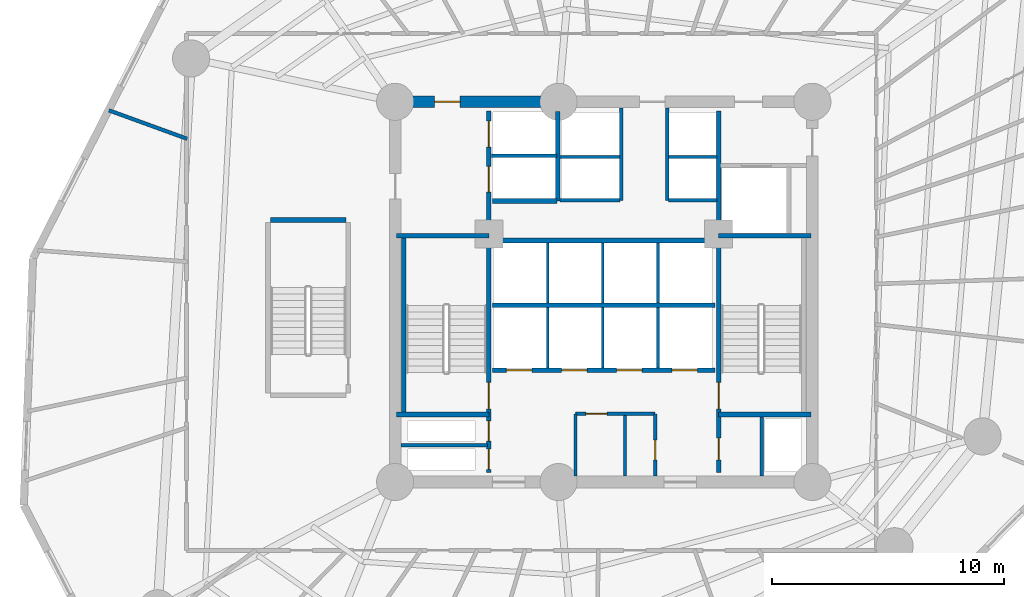
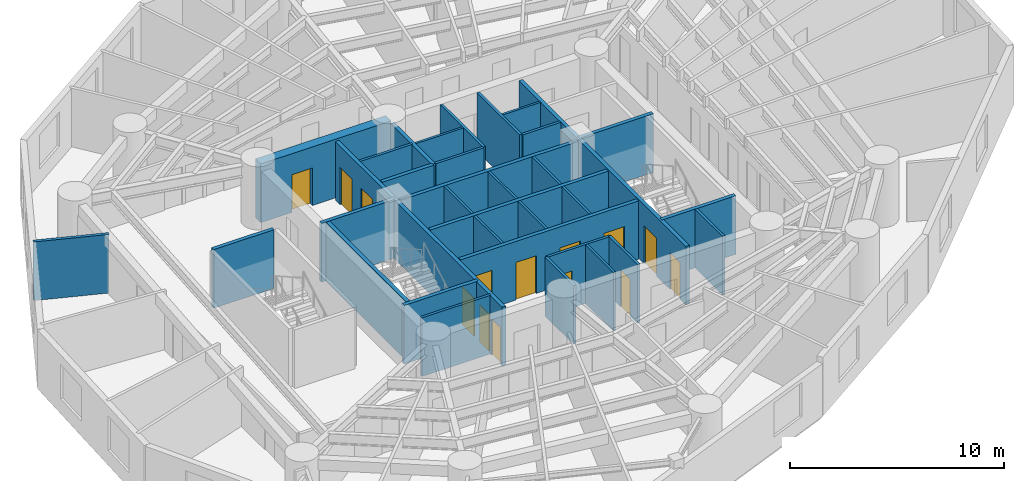
# One storey, part 4 of 8: 34 walls, 14 doors, 14 openings.
"""IFC4 building model written with IfcOpenShell, lengths in metres."""

from ifc_helpers import new_model, si_unit, direction, frame, frame_2d, origin, origin_with_axes, place, context, subcontext, project, spatial, rectangle, extrude, source, transform, mapped, material, layer, layer_set, type_object, element, fill, save


model = new_model("IFC4")

# Units and contexts
model_context = context("Model", 3, precision=1e-05, world=origin(), true_north=direction((0.0, 1.0)))
body_context = subcontext(model_context, "Body", "Model", "MODEL_VIEW")
ifc_project = project(units=[si_unit("LENGTHUNIT", "METRE"), si_unit("AREAUNIT", "SQUARE_METRE"), si_unit("VOLUMEUNIT", "CUBIC_METRE"), si_unit("PLANEANGLEUNIT", "RADIAN"), si_unit("MASSUNIT", "GRAM", prefix="KILO")], contexts=[model_context])

# Site, building, storey
site_placement = place(None, origin())
site = spatial("IfcSite", under=ifc_project, at=site_placement, CompositionType="ELEMENT")
building_placement = place(site_placement, origin())
building = spatial("IfcBuilding", under=site, at=building_placement, Name="Karkom Vertical University and Central Library", CompositionType="ELEMENT")
storey_placement = place(building_placement, frame((0.0, 0.0, 40.89990234375)))
storey = spatial("IfcBuildingStorey", under=building, at=storey_placement, Name="L10", CompositionType="ELEMENT", Elevation=40.89990234375)

# Walls
ifc_material_1 = material(Name="Insulated metal-stud drywall 160mm", Category="gypsum")
ifc_layer_1 = layer(ifc_material_1, 0.159912109375)
ifc_layer_set_1 = layer_set([ifc_layer_1], Name="Insulated metal-stud drywall 160mm")
wall_type_1 = type_object("IfcWallType", Name="INT-WL-COR-160", PredefinedType="PARTITIONING", material=ifc_layer_set_1)
wall_1_placement = place(storey_placement, frame((10.5283203125, 33.10498046875, 0.0), z_axis=(0.0, 0.0, 1.0), x_axis=(-0.939697983434, 0.342005409213, 0.0)))
element("IfcWall", 1, at=wall_1_placement, inside=storey, type_object=wall_type_1, Name="Level 10 Interior Partition Wall L10-PW-038", PredefinedType="PARTITIONING", context=body_context, shape_type="SweptSolid", body=[
    extrude(rectangle(XDim=3.58642578125, YDim=0.159912109375, at=frame_2d((1.793212890625, 0.0))), origin(), (0.0, 0.0, 1.0), 3.35009765625),
])
ifc_material_2 = material(Name="Moisture-resistant drywall 120mm", Category="gypsum")
ifc_layer_2 = layer(ifc_material_2, 0.1201171875)
ifc_layer_set_2 = layer_set([ifc_layer_2], Name="Moisture-resistant drywall 120mm")
wall_type_2 = type_object("IfcWallType", Name="INT-WL-INT-120", PredefinedType="PARTITIONING", material=ifc_layer_set_2)
wall_2_placement = place(storey_placement, frame((29.419921875, 18.556884765625, 0.0), z_axis=(0.0, 0.0, 1.0), x_axis=(0.0, 1.0, 0.0)))
element("IfcWall", 2, at=wall_2_placement, inside=storey, type_object=wall_type_2, Name="Level 10 Interior Partition Wall L10-CW-K3-DIV", PredefinedType="PARTITIONING", context=body_context, shape_type="SweptSolid", body=[
    extrude(rectangle(XDim=2.611083984375, YDim=0.1201171875, at=frame_2d((1.3056640625, 0.0))), origin(), (0.0, 0.0, 1.0), 3.35009765625),
])
ifc_layer_3 = layer(ifc_material_2, 0.1201171875)
ifc_layer_set_3 = layer_set([ifc_layer_3], Name="Moisture-resistant drywall 120mm")
wall_type_3 = type_object("IfcWallType", Name="INT-WL-INT-120H", PredefinedType="PARTITIONING", material=ifc_layer_set_3)
for number, where, z_axis, x_axis, name in (
    (3, (26.080078125, 23.219970703125, 0.0), (0.0, 0.0, 1.0), (0.0, 1.0, 0.0), "Level 10 Interior Partition Wall L10-CW-PL-DIV1"),
    (4, (28.4599609375, 23.219970703125, 0.0), (0.0, 0.0, 1.0), (0.0, 1.0, 0.0), "Level 10 Interior Partition Wall L10-CW-PL-DIV2"),
    (5, (30.840087890625, 23.219970703125, 0.0), (0.0, 0.0, 1.0), (0.0, 1.0, 0.0), "Level 10 Interior Partition Wall L10-CW-PL-DIV3"),
    (6, (26.080078125, 26.02001953125, 0.0), (0.0, 0.0, 1.0), (0.0, 1.0, 0.0), "Level 10 Interior Partition Wall L10-CW-PM-DIV1"),
    (7, (28.4599609375, 26.02001953125, 0.0), (0.0, 0.0, 1.0), (0.0, 1.0, 0.0), "Level 10 Interior Partition Wall L10-CW-PM-DIV2"),
    (8, (30.840087890625, 26.02001953125, 0.0), (0.0, 0.0, 1.0), (0.0, 1.0, 0.0), "Level 10 Interior Partition Wall L10-CW-PM-DIV3"),
):
    element("IfcWall", number, at=place(storey_placement, frame(where, z_axis=z_axis, x_axis=x_axis)), inside=storey, type_object=wall_type_3, Name=name, PredefinedType="PARTITIONING", context=body_context, shape_type="SweptSolid", body=[
        extrude(rectangle(XDim=2.60009765625, YDim=0.1201171875, at=frame_2d((1.300048828125, 0.0))), origin(), (0.0, 0.0, 1.0), 3.35009765625),
    ])
wall_3_placement = place(storey_placement, frame((26.6201171875, 32.320068359375, 0.0), z_axis=(0.0, 0.0, 1.0), x_axis=(1.0, 0.0, 0.0)))
element("IfcWall", 9, at=wall_3_placement, inside=storey, type_object=wall_type_3, Name="Level 10 Interior Partition Wall L10-CW-PH-MW", PredefinedType="PARTITIONING", context=body_context, shape_type="SweptSolid", body=[
    extrude(rectangle(XDim=2.579833984375, YDim=0.1201171875, at=frame_2d((1.2900390625, 0.0))), origin(), (0.0, 0.0, 1.0), 3.35009765625),
])
wall_4_placement = place(storey_placement, frame((31.300048828125, 32.320068359375, 0.0), z_axis=(0.0, 0.0, 1.0), x_axis=(1.0, 0.0, 0.0)))
element("IfcWall", 10, at=wall_4_placement, inside=storey, type_object=wall_type_3, Name="Level 10 Interior Partition Wall L10-CW-PH-ME", PredefinedType="PARTITIONING", context=body_context, shape_type="SweptSolid", body=[
    extrude(rectangle(XDim=2.074951171875, YDim=0.1201171875, at=frame_2d((1.03759765625, 0.0))), origin(), (0.0, 0.0, 1.0), 3.35009765625),
])

# Wall, opening, door
ifc_material_3 = material(Name="Metal-stud gypsum partition 140mm", Category="gypsum")
ifc_layer_4 = layer(ifc_material_3, 0.139892578125)
ifc_layer_set_4 = layer_set([ifc_layer_4], Name="Metal-stud gypsum partition 140mm")
wall_type_4 = type_object("IfcWallType", Name="INT-WL-SUB-140", PredefinedType="PARTITIONING", material=ifc_layer_set_4)
wall_5_placement = place(storey_placement, frame((27.280029296875, 21.239990234375, 0.0), z_axis=(0.0, 0.0, 1.0), x_axis=(1.0, 0.0, 0.0)))
wall_5 = element("IfcWall", 11, at=wall_5_placement, inside=storey, type_object=wall_type_4, Name="Level 10 Interior Partition Wall L10-CW-KBAY-N", PredefinedType="PARTITIONING", context=body_context, shape_type="SweptSolid", body=[
    extrude(rectangle(XDim=3.43994140625, YDim=0.139892578125, at=frame_2d((1.719970703125, 0.0))), origin(), (0.0, 0.0, 1.0), 3.35009765625),
])
opening_1_placement = place(wall_5_placement, frame((0.449951171875, 0.0, 0.0)))
opening_1 = element("IfcOpeningElement", 12, at=opening_1_placement, cuts=wall_5, Name="Opening D-SVC1", PredefinedType="OPENING", context=body_context, shape_type="SweptSolid", body=[
    extrude(rectangle(XDim=0.919921875, YDim=2.10009765625, at=frame_2d((0.4599609375, 1.050048828125))), frame((0.0, 0.080078125, 0.0), z_axis=(0.0, -1.0, 0.0), x_axis=(1.0, 0.0, 0.0)), (0.0, 0.0, 1.0), 0.159912109375),
])
ifc_material_4 = material(Name="Painted timber service door", Category="wood")
door_type_1 = type_object("IfcDoorType", Name="INT-DR-SVC1", OperationType="NOTDEFINED", PredefinedType="DOOR", material=ifc_material_4)
shared_shape_1 = source(origin_with_axes(), body_context, "Body", "SweptSolid", [
    extrude(rectangle(XDim=0.919921875, YDim=2.10009765625, at=frame_2d((0.4599609375, 1.050048828125))), frame((0.0, 0.02490234375, 0.0), z_axis=(0.0, -1.0, 0.0), x_axis=(1.0, 0.0, 0.0)), (0.0, 0.0, 1.0), 0.050048828125),
])
door_1_placement = place(opening_1_placement, origin())
door_1 = element("IfcDoor", 13, at=door_1_placement, inside=storey, type_object=door_type_1, Name="Level 10 Copy Room Door", OperationType="SINGLE_SWING_LEFT", OverallHeight=2.10009765625, OverallWidth=0.919921875, PredefinedType="DOOR", context=body_context, shape_type="MappedRepresentation", body=[
    mapped(shared_shape_1, transform((0.0, 0.0, 0.0), scale=1.0)),
])
fill(opening_1, door_1)

# Wall
wall_6_placement = place(storey_placement, frame((27.280029296875, 18.550048828125, 0.0), z_axis=(0.0, 0.0, 1.0), x_axis=(0.0, 1.0, 0.0)))
element("IfcWall", 14, at=wall_6_placement, inside=storey, type_object=wall_type_4, Name="Level 10 Interior Partition Wall L10-CW-KBAY-W", PredefinedType="PARTITIONING", context=body_context, shape_type="SweptSolid", body=[
    extrude(rectangle(XDim=2.68994140625, YDim=0.139892578125, at=frame_2d((1.344970703125, 0.0))), origin(), (0.0, 0.0, 1.0), 3.35009765625),
])

# Wall, opening, door
wall_7_placement = place(storey_placement, frame((30.719970703125, 18.550048828125, 0.0), z_axis=(0.0, 0.0, 1.0), x_axis=(0.0, 1.0, 0.0)))
wall_7 = element("IfcWall", 15, at=wall_7_placement, inside=storey, type_object=wall_type_4, Name="Level 10 Interior Partition Wall L10-CW-KBAY-E", PredefinedType="PARTITIONING", context=body_context, shape_type="SweptSolid", body=[
    extrude(rectangle(XDim=2.68994140625, YDim=0.139892578125, at=frame_2d((1.344970703125, 0.0))), origin(), (0.0, 0.0, 1.0), 3.35009765625),
])
opening_2_placement = place(wall_7_placement, frame((0.699951171875, 0.0, 0.0)))
opening_2 = element("IfcOpeningElement", 16, at=opening_2_placement, cuts=wall_7, Name="Opening D-BATH", PredefinedType="OPENING", context=body_context, shape_type="SweptSolid", body=[
    extrude(rectangle(XDim=0.860107421875, YDim=2.10009765625, at=frame_2d((0.43017578125, 1.050048828125))), frame((0.0, 0.080078125, 0.0), z_axis=(0.0, -1.0, 0.0), x_axis=(1.0, 0.0, 0.0)), (0.0, 0.0, 1.0), 0.159912109375),
])
ifc_material_5 = material(Name="Moisture-resistant oak door", Category="wood")
door_type_2 = type_object("IfcDoorType", Name="INT-DR-BATH", OperationType="NOTDEFINED", PredefinedType="DOOR", material=ifc_material_5)
shared_shape_2 = source(origin_with_axes(), body_context, "Body", "SweptSolid", [
    extrude(rectangle(XDim=0.860107421875, YDim=2.10009765625, at=frame_2d((0.43017578125, 1.050048828125))), frame((0.0, 0.02490234375, 0.0), z_axis=(0.0, -1.0, 0.0), x_axis=(1.0, 0.0, 0.0)), (0.0, 0.0, 1.0), 0.050048828125),
])
door_2_placement = place(opening_2_placement, origin())
door_2 = element("IfcDoor", 17, at=door_2_placement, inside=storey, type_object=door_type_2, Name="Level 10 Janitor Door", OperationType="SINGLE_SWING_RIGHT", OverallHeight=2.10009765625, OverallWidth=0.860107421875, PredefinedType="DOOR", context=body_context, shape_type="MappedRepresentation", body=[
    mapped(shared_shape_2, transform((0.0, 0.0, 0.0), scale=1.0)),
])
fill(opening_2, door_2)

# Walls
ifc_layer_5 = layer(ifc_material_3, 0.139892578125)
ifc_layer_set_5 = layer_set([ifc_layer_5], Name="Metal-stud gypsum partition 140mm")
wall_type_5 = type_object("IfcWallType", Name="INT-WL-SUB-140H", PredefinedType="PARTITIONING", material=ifc_layer_set_5)
for number, where, z_axis, x_axis, name in (
    (18, (29.260009765625, 30.449951171875, 0.0), (0.0, 0.0, 1.0), (0.0, 1.0, 0.0), "Level 10 Interior Partition Wall L10-CW-PH-W"),
    (19, (31.239990234375, 30.449951171875, 0.0), (0.0, 0.0, 1.0), (0.0, 1.0, 0.0), "Level 10 Interior Partition Wall L10-CW-PH-E"),
):
    element("IfcWall", number, at=place(storey_placement, frame(where, z_axis=z_axis, x_axis=x_axis)), inside=storey, type_object=wall_type_5, Name=name, PredefinedType="PARTITIONING", context=body_context, shape_type="SweptSolid", body=[
        extrude(rectangle(XDim=3.9931640625, YDim=0.139892578125, at=frame_2d((1.99658203125, 0.0))), origin(), (0.0, 0.0, 1.0), 3.35009765625),
    ])
wall_8_placement = place(storey_placement, frame((19.757080078125, 19.889892578125, 0.0), z_axis=(0.0, 0.0, 1.0), x_axis=(1.0, 0.0, 0.0)))
element("IfcWall", 20, at=wall_8_placement, inside=storey, type_object=wall_type_5, Name="Level 10 Interior Partition Wall L10-CW-RIS-W", PredefinedType="PARTITIONING", context=body_context, shape_type="SweptSolid", body=[
    extrude(rectangle(XDim=3.7392578125, YDim=0.139892578125, at=frame_2d((1.86962890625, 0.0))), origin(), (0.0, 0.0, 1.0), 3.35009765625),
])
wall_9_placement = place(storey_placement, frame((26.6201171875, 30.449951171875, 0.0), z_axis=(0.0, 0.0, 1.0), x_axis=(1.0, 0.0, 0.0)))
element("IfcWall", 21, at=wall_9_placement, inside=storey, type_object=wall_type_5, Name="Level 10 Interior Partition Wall L10-CW-PH-S1", PredefinedType="PARTITIONING", context=body_context, shape_type="SweptSolid", body=[
    extrude(rectangle(XDim=2.579833984375, YDim=0.139892578125, at=frame_2d((1.2900390625, 0.0))), origin(), (0.0, 0.0, 1.0), 3.35009765625),
])
wall_10_placement = place(storey_placement, frame((35.320068359375, 18.556884765625, 0.0), z_axis=(0.0, 0.0, 1.0), x_axis=(0.0, 1.0, 0.0)))
element("IfcWall", 22, at=wall_10_placement, inside=storey, type_object=wall_type_5, Name="Level 10 Interior Partition Wall L10-CW-RIS-E", PredefinedType="PARTITIONING", context=body_context, shape_type="SweptSolid", body=[
    extrude(rectangle(XDim=2.553466796875, YDim=0.139892578125, at=frame_2d((1.27685546875, 0.0))), origin(), (0.0, 0.0, 1.0), 3.35009765625),
])
wall_11_placement = place(storey_placement, frame((31.300048828125, 30.449951171875, 0.0), z_axis=(0.0, 0.0, 1.0), x_axis=(1.0, 0.0, 0.0)))
element("IfcWall", 23, at=wall_11_placement, inside=storey, type_object=wall_type_5, Name="Level 10 Interior Partition Wall L10-CW-PH-S2", PredefinedType="PARTITIONING", context=body_context, shape_type="SweptSolid", body=[
    extrude(rectangle(XDim=2.074951171875, YDim=0.139892578125, at=frame_2d((1.03759765625, 0.0))), origin(), (0.0, 0.0, 1.0), 3.35009765625),
])
ifc_layer_6 = layer(ifc_material_3, 0.139892578125)
ifc_layer_set_6 = layer_set([ifc_layer_6], Name="Metal-stud gypsum partition 140mm")
wall_type_6 = type_object("IfcWallType", Name="INT-WL-SUB-140X", PredefinedType="PARTITIONING", material=ifc_layer_set_6)
wall_12_placement = place(storey_placement, frame((23.652099609375, 32.3701171875, 0.0), z_axis=(0.0, 0.0, 1.0), x_axis=(1.0, 0.0, 0.0)))
element("IfcWall", 24, at=wall_12_placement, inside=storey, type_object=wall_type_6, Name="Level 10 Interior Partition Wall L10-CW-FFL-M", PredefinedType="PARTITIONING", context=body_context, shape_type="SweptSolid", body=[
    extrude(rectangle(XDim=2.827880859375, YDim=0.139892578125, at=frame_2d((1.4140625, 0.0))), origin(), (0.0, 0.0, 1.0), 3.35009765625),
])

# Wall, opening, door
ifc_material_6 = material(Name="Concrete C50/60", Category="concrete")
ifc_layer_7 = layer(ifc_material_6, 0.5)
ifc_layer_set_7 = layer_set([ifc_layer_7], Name="Concrete C50/60")
wall_type_7 = type_object("IfcWallType", Name="STR-WL-CW-500", PredefinedType="SHEAR", material=ifc_layer_set_7)
wall_13_placement = place(storey_placement, frame((26.550048828125, 34.699951171875, 0.0), z_axis=(0.0, 0.0, 1.0), x_axis=(-1.0, 0.0, 0.0)))
wall_13 = element("IfcWall", 25, at=wall_13_placement, inside=storey, type_object=wall_type_7, Name="Level 10 Central Core Shear Wall NW2", PredefinedType="SHEAR", context=body_context, shape_type="SweptSolid", body=[
    extrude(rectangle(XDim=7.050048828125, YDim=0.5, at=frame_2d((3.52490234375, 0.0))), origin(), (0.0, 0.0, 1.0), 3.35009765625),
])
opening_3_placement = place(wall_13_placement, frame((4.25, 0.0, 0.0)))
opening_3 = element("IfcOpeningElement", 26, at=opening_3_placement, cuts=wall_13, Name="Opening FD-FFL", PredefinedType="OPENING", context=body_context, shape_type="SweptSolid", body=[
    extrude(rectangle(XDim=1.10009765625, YDim=2.14990234375, at=frame_2d((0.550048828125, 1.074951171875))), frame((0.0, 0.260009765625, 0.0), z_axis=(0.0, -1.0, 0.0), x_axis=(1.0, 0.0, 0.0)), (0.0, 0.0, 1.0), 0.52001953125),
])
ifc_material_7 = material(Name="Painted steel smoke-seal fire door", Category="steel")
door_type_3 = type_object("IfcDoorType", Name="INT-DR-FFL", OperationType="NOTDEFINED", PredefinedType="DOOR", material=ifc_material_7)
shared_shape_3 = source(origin_with_axes(), body_context, "Body", "SweptSolid", [
    extrude(rectangle(XDim=1.10009765625, YDim=2.14990234375, at=frame_2d((0.550048828125, 1.074951171875))), frame((0.0, 0.02490234375, 0.0), z_axis=(0.0, -1.0, 0.0), x_axis=(1.0, 0.0, 0.0)), (0.0, 0.0, 1.0), 0.050048828125),
])
door_3_placement = place(opening_3_placement, origin())
door_3 = element("IfcDoor", 27, at=door_3_placement, inside=storey, type_object=door_type_3, Name="Level 10 Firefighting Lobby Door", OperationType="SINGLE_SWING_RIGHT", OverallHeight=2.14990234375, OverallWidth=1.10009765625, PredefinedType="DOOR", context=body_context, shape_type="MappedRepresentation", body=[
    mapped(shared_shape_3, transform((0.0, 0.0, 0.0), scale=1.0)),
])
fill(opening_3, door_3)

# Wall, openings, doors
ifc_material_8 = material(Name="Concrete C45/55", Category="concrete")
ifc_layer_8 = layer(ifc_material_8, 0.199951171875)
ifc_layer_set_8 = layer_set([ifc_layer_8], Name="Concrete C45/55")
wall_type_8 = type_object("IfcWallType", Name="STR-WL-ST-200", PredefinedType="SHEAR", material=ifc_layer_set_8)
wall_14_placement = place(storey_placement, frame((23.544921875, 18.699951171875, 0.0), z_axis=(0.0, 0.0, 1.0), x_axis=(0.0, 1.0, 0.0)))
wall_14 = element("IfcWall", 28, at=wall_14_placement, inside=storey, type_object=wall_type_8, Name="Level 10 Core Shaft Wall L10-CW-ST1-E", PredefinedType="SHEAR", context=body_context, shape_type="SweptSolid", body=[
    extrude(rectangle(XDim=15.60009765625, YDim=0.199951171875, at=frame_2d((7.800048828125, 0.0))), origin(), (0.0, 0.0, 1.0), 3.35009765625),
])
opening_4_placement = place(wall_14_placement, frame((2.75, 0.0, 0.0)))
opening_4 = element("IfcOpeningElement", 29, at=opening_4_placement, cuts=wall_14, Name="Opening FD-ST1", PredefinedType="OPENING", context=body_context, shape_type="SweptSolid", body=[
    extrude(rectangle(XDim=1.14990234375, YDim=2.14990234375, at=frame_2d((0.574951171875, 1.074951171875))), frame((0.0, 0.10986328125, 0.0), z_axis=(0.0, -1.0, 0.0), x_axis=(1.0, 0.0, 0.0)), (0.0, 0.0, 1.0), 0.219970703125),
])
opening_5_placement = place(wall_14_placement, frame((0.139892578125, 0.0, 0.0)))
opening_5 = element("IfcOpeningElement", 30, at=opening_5_placement, cuts=wall_14, Name="Opening FD-RIS", PredefinedType="OPENING", context=body_context, shape_type="SweptSolid", body=[
    extrude(rectangle(XDim=0.8798828125, YDim=2.10009765625, at=frame_2d((0.43994140625, 1.050048828125))), frame((0.0, 0.10986328125, 0.0), z_axis=(0.0, -1.0, 0.0), x_axis=(1.0, 0.0, 0.0)), (0.0, 0.0, 1.0), 0.219970703125),
])
opening_6_placement = place(wall_14_placement, frame((1.360107421875, 0.0, 0.0)))
opening_6 = element("IfcOpeningElement", 31, at=opening_6_placement, cuts=wall_14, Name="Opening FD-RIS", PredefinedType="OPENING", context=body_context, shape_type="SweptSolid", body=[
    extrude(rectangle(XDim=0.8798828125, YDim=2.10009765625, at=frame_2d((0.43994140625, 1.050048828125))), frame((0.0, 0.10986328125, 0.0), z_axis=(0.0, -1.0, 0.0), x_axis=(1.0, 0.0, 0.0)), (0.0, 0.0, 1.0), 0.219970703125),
])
opening_7_placement = place(wall_14_placement, frame((12.10009765625, 0.0, 0.0)))
opening_7 = element("IfcOpeningElement", 32, at=opening_7_placement, cuts=wall_14, Name="Opening LD-FFL", PredefinedType="OPENING", context=body_context, shape_type="SweptSolid", body=[
    extrude(rectangle(XDim=1.1201171875, YDim=2.14990234375, at=frame_2d((0.56005859375, 1.074951171875))), frame((0.0, 0.10986328125, 0.0), z_axis=(0.0, -1.0, 0.0), x_axis=(1.0, 0.0, 0.0)), (0.0, 0.0, 1.0), 0.219970703125),
])
opening_8_placement = place(wall_14_placement, frame((14.050048828125, 0.0, 0.0)))
opening_8 = element("IfcOpeningElement", 33, at=opening_8_placement, cuts=wall_14, Name="Opening LD-FFL", PredefinedType="OPENING", context=body_context, shape_type="SweptSolid", body=[
    extrude(rectangle(XDim=1.1201171875, YDim=2.14990234375, at=frame_2d((0.56005859375, 1.074951171875))), frame((0.0, 0.10986328125, 0.0), z_axis=(0.0, -1.0, 0.0), x_axis=(1.0, 0.0, 0.0)), (0.0, 0.0, 1.0), 0.219970703125),
])
ifc_material_9 = material(Name="Painted steel acoustic fire door", Category="steel")
door_type_4 = type_object("IfcDoorType", Name="INT-DR-ST1", OperationType="NOTDEFINED", PredefinedType="DOOR", material=ifc_material_9)
shared_shape_4 = source(origin_with_axes(), body_context, "Body", "SweptSolid", [
    extrude(rectangle(XDim=1.14990234375, YDim=2.14990234375, at=frame_2d((0.574951171875, 1.074951171875))), frame((0.0, 0.02490234375, 0.0), z_axis=(0.0, -1.0, 0.0), x_axis=(1.0, 0.0, 0.0)), (0.0, 0.0, 1.0), 0.050048828125),
])
door_4_placement = place(opening_4_placement, origin())
door_4 = element("IfcDoor", 34, at=door_4_placement, inside=storey, type_object=door_type_4, Name="Level 10 Stair ST-1 Fire Door", OperationType="SINGLE_SWING_RIGHT", OverallHeight=2.14990234375, OverallWidth=1.14990234375, PredefinedType="DOOR", context=body_context, shape_type="MappedRepresentation", body=[
    mapped(shared_shape_4, transform((0.0, 0.0, 0.0), scale=1.0)),
])
fill(opening_4, door_4)
ifc_material_10 = material(Name="Painted steel riser access door", Category="steel")
door_type_5 = type_object("IfcDoorType", Name="INT-DR-RIS", OperationType="NOTDEFINED", PredefinedType="DOOR", material=ifc_material_10)
shared_shape_5 = source(origin_with_axes(), body_context, "Body", "SweptSolid", [
    extrude(rectangle(XDim=0.8798828125, YDim=2.10009765625, at=frame_2d((0.43994140625, 1.050048828125))), frame((0.0, 0.02490234375, 0.0), z_axis=(0.0, -1.0, 0.0), x_axis=(1.0, 0.0, 0.0)), (0.0, 0.0, 1.0), 0.050048828125),
])
door_5_placement = place(opening_5_placement, origin())
door_5 = element("IfcDoor", 35, at=door_5_placement, inside=storey, type_object=door_type_5, Name="Level 10 Electrical Riser Access Door", OperationType="SINGLE_SWING_RIGHT", OverallHeight=2.10009765625, OverallWidth=0.8798828125, PredefinedType="DOOR", context=body_context, shape_type="MappedRepresentation", body=[
    mapped(shared_shape_5, transform((0.0, 0.0, 0.0), scale=1.0)),
])
fill(opening_5, door_5)
door_6_placement = place(opening_6_placement, origin())
door_6 = element("IfcDoor", 36, at=door_6_placement, inside=storey, type_object=door_type_5, Name="Level 10 Telecom Riser Access Door", OperationType="SINGLE_SWING_LEFT", OverallHeight=2.10009765625, OverallWidth=0.8798828125, PredefinedType="DOOR", context=body_context, shape_type="MappedRepresentation", body=[
    mapped(shared_shape_5, transform((0.0, 0.0, 0.0), scale=1.0)),
])
fill(opening_6, door_6)
ifc_material_11 = material(Name="Fire-rated stainless-steel landing door", Category="steel")
door_type_6 = type_object("IfcDoorType", Name="INT-DR-LD-FFL", OperationType="SLIDING_TO_LEFT", PredefinedType="DOOR", material=ifc_material_11)
shared_shape_6 = source(origin_with_axes(), body_context, "Body", "SweptSolid", [
    extrude(rectangle(XDim=1.1201171875, YDim=2.14990234375, at=frame_2d((0.56005859375, 1.074951171875))), frame((0.0, 0.02490234375, 0.0), z_axis=(0.0, -1.0, 0.0), x_axis=(1.0, 0.0, 0.0)), (0.0, 0.0, 1.0), 0.050048828125),
])
door_7_placement = place(opening_7_placement, origin())
door_7 = element("IfcDoor", 37, at=door_7_placement, inside=storey, type_object=door_type_6, Name="Level 10 Firefighting Lift FFL-1 Landing Door", OperationType="SLIDING_TO_LEFT", OverallHeight=2.14990234375, OverallWidth=1.1201171875, PredefinedType="DOOR", context=body_context, shape_type="MappedRepresentation", body=[
    mapped(shared_shape_6, transform((0.0, 0.0, 0.0), scale=1.0)),
])
fill(opening_7, door_7)
door_8_placement = place(opening_8_placement, origin())
door_8 = element("IfcDoor", 38, at=door_8_placement, inside=storey, type_object=door_type_6, Name="Level 10 Firefighting Lift FFL-2 Landing Door", OperationType="SLIDING_TO_RIGHT", OverallHeight=2.14990234375, OverallWidth=1.1201171875, PredefinedType="DOOR", context=body_context, shape_type="MappedRepresentation", body=[
    mapped(shared_shape_6, transform((0.0, 0.0, 0.0), scale=1.0)),
])
fill(opening_8, door_8)

wall_15_placement = place(storey_placement, frame((33.455078125, 18.699951171875, 0.0), z_axis=(0.0, 0.0, 1.0), x_axis=(0.0, 1.0, 0.0)))
wall_15 = element("IfcWall", 39, at=wall_15_placement, inside=storey, type_object=wall_type_8, Name="Level 10 Core Shaft Wall L10-CW-ST2-W", PredefinedType="SHEAR", context=body_context, shape_type="SweptSolid", body=[
    extrude(rectangle(XDim=15.60009765625, YDim=0.199951171875, at=frame_2d((7.800048828125, 0.0))), origin(), (0.0, 0.0, 1.0), 3.35009765625),
])
opening_9_placement = place(wall_15_placement, frame((2.75, 0.0, 0.0)))
opening_9 = element("IfcOpeningElement", 40, at=opening_9_placement, cuts=wall_15, Name="Opening FD-ST1", PredefinedType="OPENING", context=body_context, shape_type="SweptSolid", body=[
    extrude(rectangle(XDim=1.14990234375, YDim=2.14990234375, at=frame_2d((0.574951171875, 1.074951171875))), frame((0.0, 0.10986328125, 0.0), z_axis=(0.0, -1.0, 0.0), x_axis=(1.0, 0.0, 0.0)), (0.0, 0.0, 1.0), 0.219970703125),
])
opening_10_placement = place(wall_15_placement, frame((0.550048828125, 0.0, 0.0)))
opening_10 = element("IfcOpeningElement", 41, at=opening_10_placement, cuts=wall_15, Name="Opening D-WC1", PredefinedType="OPENING", context=body_context, shape_type="SweptSolid", body=[
    extrude(rectangle(XDim=0.93994140625, YDim=2.10009765625, at=frame_2d((0.469970703125, 1.050048828125))), frame((0.0, 0.10986328125, 0.0), z_axis=(0.0, -1.0, 0.0), x_axis=(1.0, 0.0, 0.0)), (0.0, 0.0, 1.0), 0.219970703125),
])
door_9_placement = place(opening_9_placement, origin())
door_9 = element("IfcDoor", 42, at=door_9_placement, inside=storey, type_object=door_type_4, Name="Level 10 Stair ST-2 Fire Door", OperationType="SINGLE_SWING_LEFT", OverallHeight=2.14990234375, OverallWidth=1.14990234375, PredefinedType="DOOR", context=body_context, shape_type="MappedRepresentation", body=[
    mapped(shared_shape_4, transform((0.0, 0.0, 0.0), scale=1.0)),
])
fill(opening_9, door_9)
ifc_material_12 = material(Name="Fire-rated laminate moisture-resistant door", Category="wood")
door_type_7 = type_object("IfcDoorType", Name="INT-DR-WC1", OperationType="NOTDEFINED", PredefinedType="DOOR", material=ifc_material_12)
shared_shape_7 = source(origin_with_axes(), body_context, "Body", "SweptSolid", [
    extrude(rectangle(XDim=0.93994140625, YDim=2.10009765625, at=frame_2d((0.469970703125, 1.050048828125))), frame((0.0, 0.02490234375, 0.0), z_axis=(0.0, -1.0, 0.0), x_axis=(1.0, 0.0, 0.0)), (0.0, 0.0, 1.0), 0.050048828125),
])
door_10_placement = place(opening_10_placement, origin())
door_10 = element("IfcDoor", 43, at=door_10_placement, inside=storey, type_object=door_type_7, Name="Level 10 Accessible WC Door", OperationType="SINGLE_SWING_RIGHT", OverallHeight=2.10009765625, OverallWidth=0.93994140625, PredefinedType="DOOR", context=body_context, shape_type="MappedRepresentation", body=[
    mapped(shared_shape_7, transform((0.0, 0.0, 0.0), scale=1.0)),
])
fill(opening_10, door_10)

wall_16_placement = place(storey_placement, frame((23.699951171875, 23.1201171875, 0.0), z_axis=(0.0, 0.0, 1.0), x_axis=(1.0, 0.0, 0.0)))
wall_16 = element("IfcWall", 44, at=wall_16_placement, inside=storey, type_object=wall_type_8, Name="Level 10 Core Shaft Wall L10-CW-B1-S", PredefinedType="SHEAR", context=body_context, shape_type="SweptSolid", body=[
    extrude(rectangle(XDim=9.60009765625, YDim=0.199951171875, at=frame_2d((4.800048828125, 0.0))), origin(), (0.0, 0.0, 1.0), 3.35009765625),
])
opening_11_placement = place(wall_16_placement, frame((0.60009765625, 0.0, 0.0)))
opening_11 = element("IfcOpeningElement", 45, at=opening_11_placement, cuts=wall_16, Name="Opening LD-PAX", PredefinedType="OPENING", context=body_context, shape_type="SweptSolid", body=[
    extrude(rectangle(XDim=1.10009765625, YDim=2.14990234375, at=frame_2d((0.550048828125, 1.074951171875))), frame((0.0, 0.10986328125, 0.0), z_axis=(0.0, -1.0, 0.0), x_axis=(1.0, 0.0, 0.0)), (0.0, 0.0, 1.0), 0.219970703125),
])
opening_12_placement = place(wall_16_placement, frame((2.97998046875, 0.0, 0.0)))
opening_12 = element("IfcOpeningElement", 46, at=opening_12_placement, cuts=wall_16, Name="Opening LD-PAX", PredefinedType="OPENING", context=body_context, shape_type="SweptSolid", body=[
    extrude(rectangle(XDim=1.10009765625, YDim=2.14990234375, at=frame_2d((0.550048828125, 1.074951171875))), frame((0.0, 0.10986328125, 0.0), z_axis=(0.0, -1.0, 0.0), x_axis=(1.0, 0.0, 0.0)), (0.0, 0.0, 1.0), 0.219970703125),
])
opening_13_placement = place(wall_16_placement, frame((5.360107421875, 0.0, 0.0)))
opening_13 = element("IfcOpeningElement", 47, at=opening_13_placement, cuts=wall_16, Name="Opening LD-PAX", PredefinedType="OPENING", context=body_context, shape_type="SweptSolid", body=[
    extrude(rectangle(XDim=1.10009765625, YDim=2.14990234375, at=frame_2d((0.550048828125, 1.074951171875))), frame((0.0, 0.10986328125, 0.0), z_axis=(0.0, -1.0, 0.0), x_axis=(1.0, 0.0, 0.0)), (0.0, 0.0, 1.0), 0.219970703125),
])
opening_14_placement = place(wall_16_placement, frame((7.739990234375, 0.0, 0.0)))
opening_14 = element("IfcOpeningElement", 48, at=opening_14_placement, cuts=wall_16, Name="Opening LD-PAX", PredefinedType="OPENING", context=body_context, shape_type="SweptSolid", body=[
    extrude(rectangle(XDim=1.10009765625, YDim=2.14990234375, at=frame_2d((0.550048828125, 1.074951171875))), frame((0.0, 0.10986328125, 0.0), z_axis=(0.0, -1.0, 0.0), x_axis=(1.0, 0.0, 0.0)), (0.0, 0.0, 1.0), 0.219970703125),
])
ifc_material_13 = material(Name="Brushed stainless-steel landing door", Category="steel")
door_type_8 = type_object("IfcDoorType", Name="INT-DR-LD-PAX", OperationType="SLIDING_TO_LEFT", PredefinedType="DOOR", material=ifc_material_13)
door_11_placement = place(opening_11_placement, origin())
door_11 = element("IfcDoor", 49, at=door_11_placement, inside=storey, type_object=door_type_8, Name="Level 10 Lift PL-1 Landing Door", OperationType="SLIDING_TO_LEFT", OverallHeight=2.14990234375, OverallWidth=1.10009765625, PredefinedType="DOOR", context=body_context, shape_type="MappedRepresentation", body=[
    mapped(shared_shape_3, transform((0.0, 0.0, 0.0), scale=1.0)),
])
fill(opening_11, door_11)
door_12_placement = place(opening_12_placement, origin())
door_12 = element("IfcDoor", 50, at=door_12_placement, inside=storey, type_object=door_type_8, Name="Level 10 Lift PL-2 Landing Door", OperationType="SLIDING_TO_RIGHT", OverallHeight=2.14990234375, OverallWidth=1.10009765625, PredefinedType="DOOR", context=body_context, shape_type="MappedRepresentation", body=[
    mapped(shared_shape_3, transform((0.0, 0.0, 0.0), scale=1.0)),
])
fill(opening_12, door_12)
door_13_placement = place(opening_13_placement, origin())
door_13 = element("IfcDoor", 51, at=door_13_placement, inside=storey, type_object=door_type_8, Name="Level 10 Lift PL-3 Landing Door", OperationType="SLIDING_TO_LEFT", OverallHeight=2.14990234375, OverallWidth=1.10009765625, PredefinedType="DOOR", context=body_context, shape_type="MappedRepresentation", body=[
    mapped(shared_shape_3, transform((0.0, 0.0, 0.0), scale=1.0)),
])
fill(opening_13, door_13)
door_14_placement = place(opening_14_placement, origin())
door_14 = element("IfcDoor", 52, at=door_14_placement, inside=storey, type_object=door_type_8, Name="Level 10 Lift PL-4 Landing Door", OperationType="SLIDING_TO_RIGHT", OverallHeight=2.14990234375, OverallWidth=1.10009765625, PredefinedType="DOOR", context=body_context, shape_type="MappedRepresentation", body=[
    mapped(shared_shape_3, transform((0.0, 0.0, 0.0), scale=1.0)),
])
fill(opening_14, door_14)

# Walls
for number, where, z_axis, x_axis, name in (
    (53, (23.699951171875, 25.919921875, 0.0), (0.0, 0.0, 1.0), (1.0, 0.0, 0.0), "Level 10 Core Shaft Wall L10-CW-B1-N"),
    (54, (23.699951171875, 28.719970703125, 0.0), (0.0, 0.0, 1.0), (1.0, 0.0, 0.0), "Level 10 Core Shaft Wall L10-CW-B2-N"),
):
    element("IfcWall", number, at=place(storey_placement, frame(where, z_axis=z_axis, x_axis=x_axis)), inside=storey, type_object=wall_type_8, Name=name, PredefinedType="SHEAR", context=body_context, shape_type="SweptSolid", body=[
        extrude(rectangle(XDim=9.60009765625, YDim=0.199951171875, at=frame_2d((4.800048828125, 0.0))), origin(), (0.0, 0.0, 1.0), 3.35009765625),
    ])
wall_17_placement = place(storey_placement, frame((19.875, 21.320068359375, 0.0), z_axis=(0.0, 0.0, 1.0), x_axis=(0.0, 1.0, 0.0)))
element("IfcWall", 55, at=wall_17_placement, inside=storey, type_object=wall_type_8, Name="Level 10 Core Shaft Wall L10-CW-ST1-W", PredefinedType="SHEAR", context=body_context, shape_type="SweptSolid", body=[
    extrude(rectangle(XDim=7.5, YDim=0.199951171875, at=frame_2d((3.75, 0.0))), origin(), (0.0, 0.0, 1.0), 3.35009765625),
])
for number, where, z_axis, x_axis, name in (
    (56, (33.455078125, 21.215087890625, 0.0), (0.0, 0.0, 1.0), (1.0, 0.0, 0.0), "Level 10 Core Shaft Wall L10-CW-ST2-S"),
    (57, (33.455078125, 28.925048828125, 0.0), (0.0, 0.0, 1.0), (1.0, 0.0, 0.0), "Level 10 Core Shaft Wall L10-CW-ST2-N"),
    (58, (19.550048828125, 21.215087890625, 0.0), (0.0, 0.0, 1.0), (1.0, 0.0, 0.0), "Level 10 Core Shaft Wall L10-CW-ST1-S"),
    (59, (19.550048828125, 28.925048828125, 0.0), (0.0, 0.0, 1.0), (1.0, 0.0, 0.0), "Level 10 Core Shaft Wall L10-CW-ST1-N"),
):
    element("IfcWall", number, at=place(storey_placement, frame(where, z_axis=z_axis, x_axis=x_axis)), inside=storey, type_object=wall_type_8, Name=name, PredefinedType="SHEAR", context=body_context, shape_type="SweptSolid", body=[
        extrude(rectangle(XDim=3.994873046875, YDim=0.199951171875, at=frame_2d((1.99755859375, 0.0))), origin(), (0.0, 0.0, 1.0), 3.35009765625),
    ])
wall_18_placement = place(storey_placement, frame((26.52001953125, 30.419921875, 0.0), z_axis=(0.0, 0.0, 1.0), x_axis=(0.0, 1.0, 0.0)))
element("IfcWall", 60, at=wall_18_placement, inside=storey, type_object=wall_type_8, Name="Level 10 Core Shaft Wall L10-CW-FFL-E", PredefinedType="SHEAR", context=body_context, shape_type="SweptSolid", body=[
    extrude(rectangle(XDim=3.860107421875, YDim=0.199951171875, at=frame_2d((1.93017578125, 0.0))), origin(), (0.0, 0.0, 1.0), 3.35009765625),
])
wall_19_placement = place(storey_placement, frame((14.1201171875, 29.60498046875, 0.0), z_axis=(0.0, 0.0, 1.0), x_axis=(1.0, 0.0, 0.0)))
element("IfcWall", 61, at=wall_19_placement, inside=storey, type_object=wall_type_8, Name="Level 10 Core Shaft Wall L10-W-ST3-N", PredefinedType="SHEAR", context=body_context, shape_type="SweptSolid", body=[
    extrude(rectangle(XDim=3.259765625, YDim=0.199951171875, at=frame_2d((1.6298828125, 0.0))), origin(), (0.0, 0.0, 1.0), 3.35009765625),
])
wall_20_placement = place(storey_placement, frame((23.699951171875, 30.419921875, 0.0), z_axis=(0.0, 0.0, 1.0), x_axis=(1.0, 0.0, 0.0)))
element("IfcWall", 62, at=wall_20_placement, inside=storey, type_object=wall_type_8, Name="Level 10 Core Shaft Wall L10-CW-FFL-S", PredefinedType="SHEAR", context=body_context, shape_type="SweptSolid", body=[
    extrude(rectangle(XDim=2.780029296875, YDim=0.199951171875, at=frame_2d((1.39013671875, 0.0))), origin(), (0.0, 0.0, 1.0), 3.35009765625),
])

save(model, "model.ifc")
